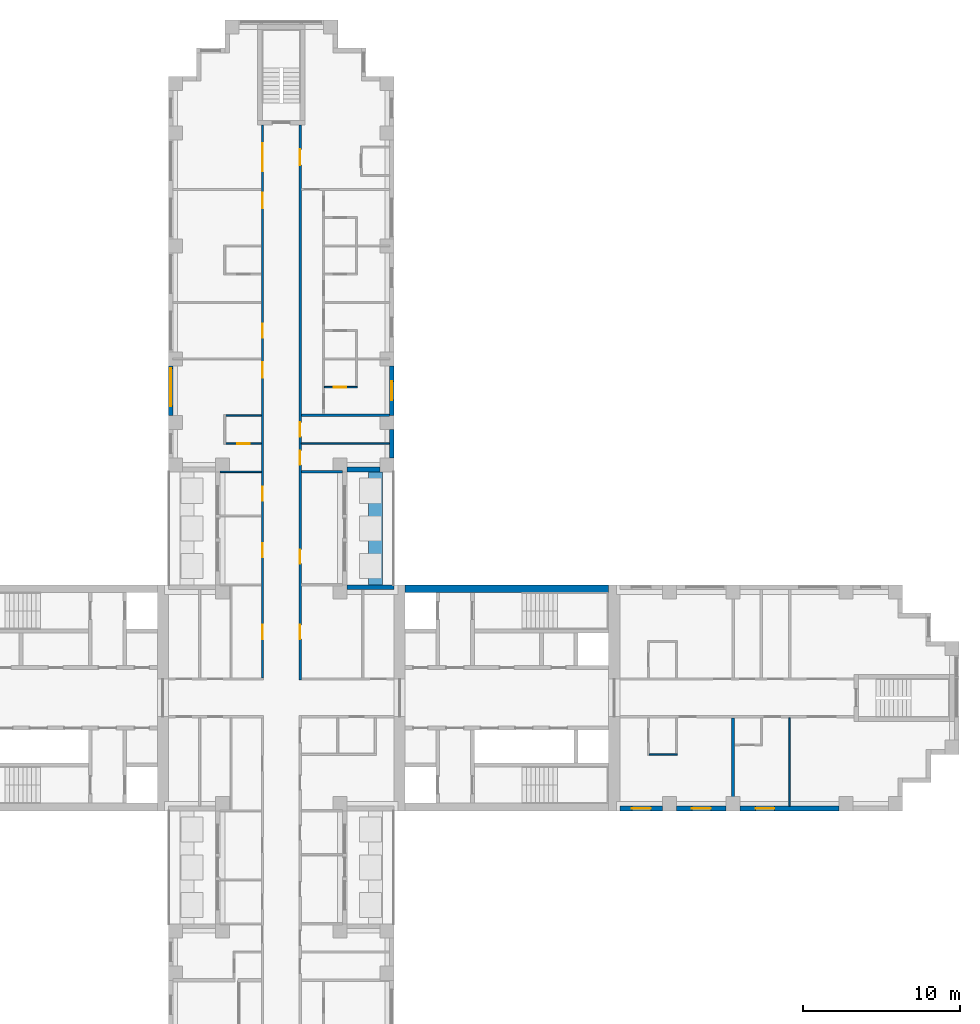
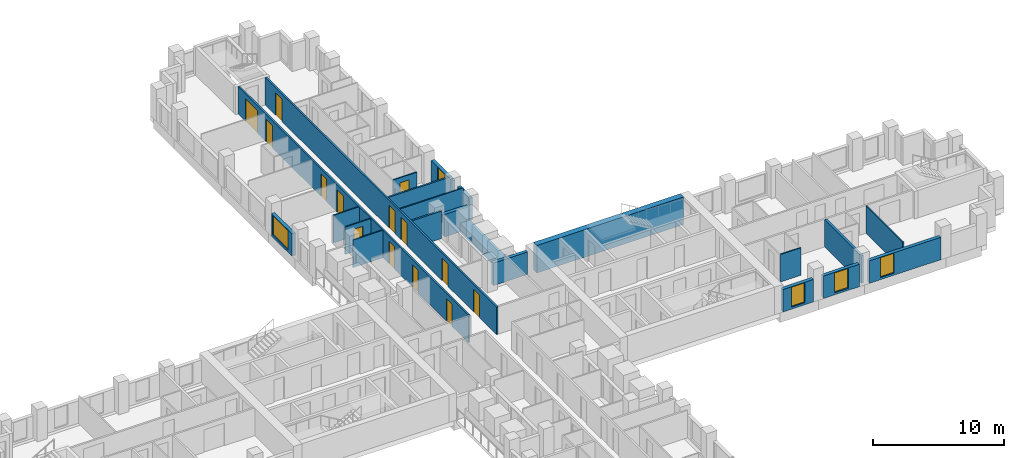
# One storey, part 9 of 15: 22 walls, 14 doors, 5 windows, 19 openings.
"""IFC4 building model written with IfcOpenShell, lengths in metres."""

from ifc_helpers import new_model, si_unit, direction, frame, frame_2d, origin, place, context, subcontext, project, spatial, rectangle, extrude, material, layer, layer_set, type_object, element, fill, save


model = new_model("IFC4")

# Units and contexts
model_context = context("Model", 3, precision=1e-05, world=origin(), true_north=direction((0.0, 1.0)))
body_context = subcontext(model_context, "Body", "Model", "MODEL_VIEW")
ifc_project = project(units=[si_unit("LENGTHUNIT", "METRE"), si_unit("AREAUNIT", "SQUARE_METRE"), si_unit("VOLUMEUNIT", "CUBIC_METRE"), si_unit("PLANEANGLEUNIT", "RADIAN"), si_unit("MASSUNIT", "GRAM", prefix="KILO")], contexts=[model_context])

# Site, building, storey
site_placement = place(None, origin())
site = spatial("IfcSite", under=ifc_project, at=site_placement, CompositionType="ELEMENT")
building_placement = place(site_placement, origin())
building = spatial("IfcBuilding", under=site, at=building_placement, Name="Fustian Cross Tower", CompositionType="ELEMENT")
storey_placement = place(building_placement, frame((0.0, 0.0, 53.699951171875)))
storey = spatial("IfcBuildingStorey", under=building, at=storey_placement, Name="L16", CompositionType="ELEMENT", Elevation=53.699951171875)

# Wall, openings, doors
ifc_material_1 = material(Name="Plasterboard on steel stud", Category="steel")
ifc_layer_1 = layer(ifc_material_1, 0.14990234375)
ifc_layer_set_1 = layer_set([ifc_layer_1], Name="Plasterboard on steel stud")
wall_type_1 = type_object("IfcWallType", Name="COMPARTMENT WALL 150 EI 60", PredefinedType="PARTITIONING", material=ifc_layer_set_1)
wall_1_placement = place(storey_placement, frame((-1.199951171875, 1.27490234375, 0.0), z_axis=(0.0, 0.0, 1.0), x_axis=(0.0, 1.0, 0.0)))
wall_1 = element("IfcWall", 1, at=wall_1_placement, inside=storey, type_object=wall_type_1, Name="Partition 47", PredefinedType="PARTITIONING", context=body_context, shape_type="SweptSolid", body=[
    extrude(rectangle(XDim=35.22509765625, YDim=0.14990234375, at=frame_2d((17.612548828125, 0.0))), origin(), (0.0, 0.0, 1.0), 2.574951171875),
])
opening_1_placement = place(wall_1_placement, frame((2.47509765625, 0.0, 0.0)))
opening_1 = element("IfcOpeningElement", 2, at=opening_1_placement, cuts=wall_1, Name="Opening D09003", PredefinedType="OPENING", context=body_context, shape_type="SweptSolid", body=[
    extrude(rectangle(XDim=0.89990234375, YDim=2.10009765625, at=frame_2d((0.449951171875, 1.050048828125))), frame((0.0, 0.0849609375, 0.0), z_axis=(0.0, -1.0, 0.0), x_axis=(1.0, 0.0, 0.0)), (0.0, 0.0, 1.0), 0.169921875),
])
opening_2_placement = place(wall_1_placement, frame((11.27490234375, 0.0, 0.0)))
opening_2 = element("IfcOpeningElement", 3, at=opening_2_placement, cuts=wall_1, Name="Opening D09022", PredefinedType="OPENING", context=body_context, shape_type="SweptSolid", body=[
    extrude(rectangle(XDim=0.89990234375, YDim=2.10009765625, at=frame_2d((0.449951171875, 1.050048828125))), frame((0.0, 0.0849609375, 0.0), z_axis=(0.0, -1.0, 0.0), x_axis=(1.0, 0.0, 0.0)), (0.0, 0.0, 1.0), 0.169921875),
])
opening_3_placement = place(wall_1_placement, frame((7.675048828125, 0.0, 0.0)))
opening_3 = element("IfcOpeningElement", 4, at=opening_3_placement, cuts=wall_1, Name="Opening D09023", PredefinedType="OPENING", context=body_context, shape_type="SweptSolid", body=[
    extrude(rectangle(XDim=0.89990234375, YDim=2.10009765625, at=frame_2d((0.449951171875, 1.050048828125))), frame((0.0, 0.0849609375, 0.0), z_axis=(0.0, -1.0, 0.0), x_axis=(1.0, 0.0, 0.0)), (0.0, 0.0, 1.0), 0.169921875),
])
opening_4_placement = place(wall_1_placement, frame((19.125, 0.0, 0.0)))
opening_4 = element("IfcOpeningElement", 5, at=opening_4_placement, cuts=wall_1, Name="Opening D09025", PredefinedType="OPENING", context=body_context, shape_type="SweptSolid", body=[
    extrude(rectangle(XDim=1.0, YDim=2.10009765625, at=frame_2d((0.5, 1.050048828125))), frame((0.0, 0.0849609375, 0.0), z_axis=(0.0, -1.0, 0.0), x_axis=(1.0, 0.0, 0.0)), (0.0, 0.0, 1.0), 0.169921875),
])
opening_5_placement = place(wall_1_placement, frame((21.675048828125, 0.0, 0.0)))
opening_5 = element("IfcOpeningElement", 6, at=opening_5_placement, cuts=wall_1, Name="Opening D09026", PredefinedType="OPENING", context=body_context, shape_type="SweptSolid", body=[
    extrude(rectangle(XDim=0.89990234375, YDim=2.10009765625, at=frame_2d((0.449951171875, 1.050048828125))), frame((0.0, 0.0849609375, 0.0), z_axis=(0.0, -1.0, 0.0), x_axis=(1.0, 0.0, 0.0)), (0.0, 0.0, 1.0), 0.169921875),
])
opening_6_placement = place(wall_1_placement, frame((29.925048828125, 0.0, 0.0)))
opening_6 = element("IfcOpeningElement", 7, at=opening_6_placement, cuts=wall_1, Name="Opening D09028", PredefinedType="OPENING", context=body_context, shape_type="SweptSolid", body=[
    extrude(rectangle(XDim=1.0, YDim=2.10009765625, at=frame_2d((0.5, 1.050048828125))), frame((0.0, 0.0849609375, 0.0), z_axis=(0.0, -1.0, 0.0), x_axis=(1.0, 0.0, 0.0)), (0.0, 0.0, 1.0), 0.169921875),
])
opening_7_placement = place(wall_1_placement, frame((32.27490234375, 0.0, 0.0)))
opening_7 = element("IfcOpeningElement", 8, at=opening_7_placement, cuts=wall_1, Name="Opening D09029", PredefinedType="OPENING", context=body_context, shape_type="SweptSolid", body=[
    extrude(rectangle(XDim=1.800048828125, YDim=2.10009765625, at=frame_2d((0.89990234375, 1.050048828125))), frame((0.0, 0.0849609375, 0.0), z_axis=(0.0, -1.0, 0.0), x_axis=(1.0, 0.0, 0.0)), (0.0, 0.0, 1.0), 0.169921875),
])
ifc_material_2 = material(Name="Timber fire door set", Category="wood")
door_type_1 = type_object("IfcDoorType", Name="FIRE DOUBLE DOOR 1800 FD30S", OperationType="DOUBLE_DOOR_DOUBLE_SWING", PredefinedType="DOOR", material=ifc_material_2)
door_1_placement = place(opening_7_placement, frame((1.800048828125, 0.0, 0.0), z_axis=(0.0, 0.0, 1.0), x_axis=(-1.0, 0.0, 0.0)))
door_1 = element("IfcDoor", 9, at=door_1_placement, inside=storey, type_object=door_type_1, Name="Door D09029", OperationType="DOUBLE_DOOR_DOUBLE_SWING", OverallHeight=2.10009765625, OverallWidth=1.800048828125, PredefinedType="DOOR", context=body_context, shape_type="SweptSolid", body=[
    extrude(rectangle(XDim=1.800048828125, YDim=2.10009765625, at=frame_2d((0.89990234375, 1.050048828125))), frame((0.0, 0.02490234375, 0.0), z_axis=(0.0, -1.0, 0.0), x_axis=(1.0, 0.0, 0.0)), (0.0, 0.0, 1.0), 0.050048828125),
])
fill(opening_7, door_1)
ifc_material_3 = material(Name="Timber fire door set", Category="wood")
door_type_2 = type_object("IfcDoorType", Name="FIRE SWING DOOR 1000 FD30S", OperationType="SINGLE_SWING_LEFT", PredefinedType="DOOR", material=ifc_material_3)
door_2_placement = place(opening_4_placement, origin())
door_2 = element("IfcDoor", 10, at=door_2_placement, inside=storey, type_object=door_type_2, Name="Door D09025", OperationType="SINGLE_SWING_RIGHT", OverallHeight=2.10009765625, OverallWidth=1.0, PredefinedType="DOOR", context=body_context, shape_type="SweptSolid", body=[
    extrude(rectangle(XDim=1.0, YDim=2.10009765625, at=frame_2d((0.5, 1.050048828125))), frame((0.0, 0.02490234375, 0.0), z_axis=(0.0, -1.0, 0.0), x_axis=(1.0, 0.0, 0.0)), (0.0, 0.0, 1.0), 0.050048828125),
])
fill(opening_4, door_2)
door_3_placement = place(opening_6_placement, origin())
door_3 = element("IfcDoor", 11, at=door_3_placement, inside=storey, type_object=door_type_2, Name="Door D09028", OperationType="SINGLE_SWING_RIGHT", OverallHeight=2.10009765625, OverallWidth=1.0, PredefinedType="DOOR", context=body_context, shape_type="SweptSolid", body=[
    extrude(rectangle(XDim=1.0, YDim=2.10009765625, at=frame_2d((0.5, 1.050048828125))), frame((0.0, 0.02490234375, 0.0), z_axis=(0.0, -1.0, 0.0), x_axis=(1.0, 0.0, 0.0)), (0.0, 0.0, 1.0), 0.050048828125),
])
fill(opening_6, door_3)
ifc_material_4 = material(Name="Timber fire door set", Category="wood")
door_type_3 = type_object("IfcDoorType", Name="FIRE SWING DOOR 900 FD30S", OperationType="SINGLE_SWING_LEFT", PredefinedType="DOOR", material=ifc_material_4)
door_4_placement = place(opening_1_placement, origin())
door_4 = element("IfcDoor", 12, at=door_4_placement, inside=storey, type_object=door_type_3, Name="Door D09003", OperationType="SINGLE_SWING_LEFT", OverallHeight=2.10009765625, OverallWidth=0.89990234375, PredefinedType="DOOR", context=body_context, shape_type="SweptSolid", body=[
    extrude(rectangle(XDim=0.89990234375, YDim=2.10009765625, at=frame_2d((0.449951171875, 1.050048828125))), frame((0.0, 0.02490234375, 0.0), z_axis=(0.0, -1.0, 0.0), x_axis=(1.0, 0.0, 0.0)), (0.0, 0.0, 1.0), 0.050048828125),
])
fill(opening_1, door_4)
door_5_placement = place(opening_2_placement, origin())
door_5 = element("IfcDoor", 13, at=door_5_placement, inside=storey, type_object=door_type_3, Name="Door D09022", OperationType="SINGLE_SWING_LEFT", OverallHeight=2.10009765625, OverallWidth=0.89990234375, PredefinedType="DOOR", context=body_context, shape_type="SweptSolid", body=[
    extrude(rectangle(XDim=0.89990234375, YDim=2.10009765625, at=frame_2d((0.449951171875, 1.050048828125))), frame((0.0, 0.02490234375, 0.0), z_axis=(0.0, -1.0, 0.0), x_axis=(1.0, 0.0, 0.0)), (0.0, 0.0, 1.0), 0.050048828125),
])
fill(opening_2, door_5)
door_6_placement = place(opening_3_placement, origin())
door_6 = element("IfcDoor", 14, at=door_6_placement, inside=storey, type_object=door_type_3, Name="Door D09023", OperationType="SINGLE_SWING_LEFT", OverallHeight=2.10009765625, OverallWidth=0.89990234375, PredefinedType="DOOR", context=body_context, shape_type="SweptSolid", body=[
    extrude(rectangle(XDim=0.89990234375, YDim=2.10009765625, at=frame_2d((0.449951171875, 1.050048828125))), frame((0.0, 0.02490234375, 0.0), z_axis=(0.0, -1.0, 0.0), x_axis=(1.0, 0.0, 0.0)), (0.0, 0.0, 1.0), 0.050048828125),
])
fill(opening_3, door_6)
door_7_placement = place(opening_5_placement, origin())
door_7 = element("IfcDoor", 15, at=door_7_placement, inside=storey, type_object=door_type_3, Name="Door D09026", OperationType="SINGLE_SWING_LEFT", OverallHeight=2.10009765625, OverallWidth=0.89990234375, PredefinedType="DOOR", context=body_context, shape_type="SweptSolid", body=[
    extrude(rectangle(XDim=0.89990234375, YDim=2.10009765625, at=frame_2d((0.449951171875, 1.050048828125))), frame((0.0, 0.02490234375, 0.0), z_axis=(0.0, -1.0, 0.0), x_axis=(1.0, 0.0, 0.0)), (0.0, 0.0, 1.0), 0.050048828125),
])
fill(opening_5, door_7)

wall_2_placement = place(storey_placement, frame((1.199951171875, 1.125, 0.0), z_axis=(0.0, 0.0, 1.0), x_axis=(0.0, 1.0, 0.0)))
wall_2 = element("IfcWall", 16, at=wall_2_placement, inside=storey, type_object=wall_type_1, Name="Partition 57", PredefinedType="PARTITIONING", context=body_context, shape_type="SweptSolid", body=[
    extrude(rectangle(XDim=35.375, YDim=0.14990234375, at=frame_2d((17.6875, 0.0))), origin(), (0.0, 0.0, 1.0), 2.574951171875),
])
opening_8_placement = place(wall_2_placement, frame((2.625, 0.0, 0.0)))
opening_8 = element("IfcOpeningElement", 17, at=opening_8_placement, cuts=wall_2, Name="Opening D09001", PredefinedType="OPENING", context=body_context, shape_type="SweptSolid", body=[
    extrude(rectangle(XDim=0.89990234375, YDim=2.10009765625, at=frame_2d((0.449951171875, 1.050048828125))), frame((0.0, 0.0849609375, 0.0), z_axis=(0.0, -1.0, 0.0), x_axis=(1.0, 0.0, 0.0)), (0.0, 0.0, 1.0), 0.169921875),
])
opening_9_placement = place(wall_2_placement, frame((7.425048828125, 0.0, 0.0)))
opening_9 = element("IfcOpeningElement", 18, at=opening_9_placement, cuts=wall_2, Name="Opening D09030", PredefinedType="OPENING", context=body_context, shape_type="SweptSolid", body=[
    extrude(rectangle(XDim=0.89990234375, YDim=2.10009765625, at=frame_2d((0.449951171875, 1.050048828125))), frame((0.0, 0.0849609375, 0.0), z_axis=(0.0, -1.0, 0.0), x_axis=(1.0, 0.0, 0.0)), (0.0, 0.0, 1.0), 0.169921875),
])
opening_10_placement = place(wall_2_placement, frame((13.72509765625, 0.0, 0.0)))
opening_10 = element("IfcOpeningElement", 19, at=opening_10_placement, cuts=wall_2, Name="Opening D09031", PredefinedType="OPENING", context=body_context, shape_type="SweptSolid", body=[
    extrude(rectangle(XDim=0.89990234375, YDim=2.10009765625, at=frame_2d((0.449951171875, 1.050048828125))), frame((0.0, 0.0849609375, 0.0), z_axis=(0.0, -1.0, 0.0), x_axis=(1.0, 0.0, 0.0)), (0.0, 0.0, 1.0), 0.169921875),
])
opening_11_placement = place(wall_2_placement, frame((15.52490234375, 0.0, 0.0)))
opening_11 = element("IfcOpeningElement", 20, at=opening_11_placement, cuts=wall_2, Name="Opening D09032", PredefinedType="OPENING", context=body_context, shape_type="SweptSolid", body=[
    extrude(rectangle(XDim=0.89990234375, YDim=2.10009765625, at=frame_2d((0.449951171875, 1.050048828125))), frame((0.0, 0.0849609375, 0.0), z_axis=(0.0, -1.0, 0.0), x_axis=(1.0, 0.0, 0.0)), (0.0, 0.0, 1.0), 0.169921875),
])
opening_12_placement = place(wall_2_placement, frame((32.824951171875, 0.0, 0.0)))
opening_12 = element("IfcOpeningElement", 21, at=opening_12_placement, cuts=wall_2, Name="Opening D09034", PredefinedType="OPENING", context=body_context, shape_type="SweptSolid", body=[
    extrude(rectangle(XDim=1.0, YDim=2.10009765625, at=frame_2d((0.5, 1.050048828125))), frame((0.0, 0.0849609375, 0.0), z_axis=(0.0, -1.0, 0.0), x_axis=(1.0, 0.0, 0.0)), (0.0, 0.0, 1.0), 0.169921875),
])
door_8_placement = place(opening_12_placement, frame((1.0, 0.0, 0.0), z_axis=(0.0, 0.0, 1.0), x_axis=(-1.0, 0.0, 0.0)))
door_8 = element("IfcDoor", 22, at=door_8_placement, inside=storey, type_object=door_type_2, Name="Door D09034", OperationType="SINGLE_SWING_RIGHT", OverallHeight=2.10009765625, OverallWidth=1.0, PredefinedType="DOOR", context=body_context, shape_type="SweptSolid", body=[
    extrude(rectangle(XDim=1.0, YDim=2.10009765625, at=frame_2d((0.5, 1.050048828125))), frame((0.0, 0.02490234375, 0.0), z_axis=(0.0, -1.0, 0.0), x_axis=(1.0, 0.0, 0.0)), (0.0, 0.0, 1.0), 0.050048828125),
])
fill(opening_12, door_8)
door_9_placement = place(opening_8_placement, frame((0.89990234375, 0.0, 0.0), z_axis=(0.0, 0.0, 1.0), x_axis=(-1.0, 0.0, 0.0)))
door_9 = element("IfcDoor", 23, at=door_9_placement, inside=storey, type_object=door_type_3, Name="Door D09001", OperationType="SINGLE_SWING_RIGHT", OverallHeight=2.10009765625, OverallWidth=0.89990234375, PredefinedType="DOOR", context=body_context, shape_type="SweptSolid", body=[
    extrude(rectangle(XDim=0.89990234375, YDim=2.10009765625, at=frame_2d((0.449951171875, 1.050048828125))), frame((0.0, 0.02490234375, 0.0), z_axis=(0.0, -1.0, 0.0), x_axis=(1.0, 0.0, 0.0)), (0.0, 0.0, 1.0), 0.050048828125),
])
fill(opening_8, door_9)
door_10_placement = place(opening_9_placement, frame((0.89990234375, 0.0, 0.0), z_axis=(0.0, 0.0, 1.0), x_axis=(-1.0, 0.0, 0.0)))
door_10 = element("IfcDoor", 24, at=door_10_placement, inside=storey, type_object=door_type_3, Name="Door D09030", OperationType="SINGLE_SWING_RIGHT", OverallHeight=2.10009765625, OverallWidth=0.89990234375, PredefinedType="DOOR", context=body_context, shape_type="SweptSolid", body=[
    extrude(rectangle(XDim=0.89990234375, YDim=2.10009765625, at=frame_2d((0.449951171875, 1.050048828125))), frame((0.0, 0.02490234375, 0.0), z_axis=(0.0, -1.0, 0.0), x_axis=(1.0, 0.0, 0.0)), (0.0, 0.0, 1.0), 0.050048828125),
])
fill(opening_9, door_10)
door_11_placement = place(opening_10_placement, frame((0.89990234375, 0.0, 0.0), z_axis=(0.0, 0.0, 1.0), x_axis=(-1.0, 0.0, 0.0)))
door_11 = element("IfcDoor", 25, at=door_11_placement, inside=storey, type_object=door_type_3, Name="Door D09031", OperationType="SINGLE_SWING_LEFT", OverallHeight=2.10009765625, OverallWidth=0.89990234375, PredefinedType="DOOR", context=body_context, shape_type="SweptSolid", body=[
    extrude(rectangle(XDim=0.89990234375, YDim=2.10009765625, at=frame_2d((0.449951171875, 1.050048828125))), frame((0.0, 0.02490234375, 0.0), z_axis=(0.0, -1.0, 0.0), x_axis=(1.0, 0.0, 0.0)), (0.0, 0.0, 1.0), 0.050048828125),
])
fill(opening_10, door_11)
door_12_placement = place(opening_11_placement, frame((0.89990234375, 0.0, 0.0), z_axis=(0.0, 0.0, 1.0), x_axis=(-1.0, 0.0, 0.0)))
door_12 = element("IfcDoor", 26, at=door_12_placement, inside=storey, type_object=door_type_3, Name="Door D09032", OperationType="SINGLE_SWING_LEFT", OverallHeight=2.10009765625, OverallWidth=0.89990234375, PredefinedType="DOOR", context=body_context, shape_type="SweptSolid", body=[
    extrude(rectangle(XDim=0.89990234375, YDim=2.10009765625, at=frame_2d((0.449951171875, 1.050048828125))), frame((0.0, 0.02490234375, 0.0), z_axis=(0.0, -1.0, 0.0), x_axis=(1.0, 0.0, 0.0)), (0.0, 0.0, 1.0), 0.050048828125),
])
fill(opening_11, door_12)

# Walls
wall_3_placement = place(storey_placement, frame((1.27490234375, 14.39990234375, 0.0), z_axis=(0.0, 0.0, 1.0), x_axis=(1.0, 0.0, 0.0)))
element("IfcWall", 27, at=wall_3_placement, inside=storey, type_object=wall_type_1, Name="Partition 60", PredefinedType="PARTITIONING", context=body_context, shape_type="SweptSolid", body=[
    extrude(rectangle(XDim=2.625, YDim=0.14990234375, at=frame_2d((1.3125, 0.0))), origin(), (0.0, 0.0, 1.0), 2.574951171875),
])
wall_4_placement = place(storey_placement, frame((1.27490234375, 18.0, 0.0), z_axis=(0.0, 0.0, 1.0), x_axis=(1.0, 0.0, 0.0)))
element("IfcWall", 28, at=wall_4_placement, inside=storey, type_object=wall_type_1, Name="Partition 62", PredefinedType="PARTITIONING", context=body_context, shape_type="SweptSolid", body=[
    extrude(rectangle(XDim=5.625, YDim=0.14990234375, at=frame_2d((2.8125, 0.0))), origin(), (0.0, 0.0, 1.0), 2.574951171875),
])
ifc_material_5 = material(Name="Concrete C80/95", Category="concrete")
ifc_layer_2 = layer(ifc_material_5, 0.5)
ifc_layer_set_2 = layer_set([ifc_layer_2], Name="Concrete C80/95")
wall_type_2 = type_object("IfcWallType", Name="CORE FACADE WALL 500 C80/95", PredefinedType="SHEAR", material=ifc_layer_set_2)
wall_5_placement = place(storey_placement, frame((7.89990234375, 6.949951171875, 0.0), z_axis=(0.0, 0.0, 1.0), x_axis=(1.0, 0.0, 0.0)))
element("IfcWall", 29, at=wall_5_placement, inside=storey, type_object=wall_type_2, Name="Core facade wall", PredefinedType="SHEAR", context=body_context, shape_type="SweptSolid", body=[
    extrude(rectangle(XDim=12.9501953125, YDim=0.5, at=frame_2d((6.47509765625, 0.0))), origin(), (0.0, 0.0, 1.0), 2.574951171875),
])
ifc_material_6 = material(Name="Plasterboard on steel stud", Category="steel")
ifc_layer_3 = layer(ifc_material_6, 0.10009765625)
ifc_layer_set_3 = layer_set([ifc_layer_3], Name="Plasterboard on steel stud")
wall_type_3 = type_object("IfcWallType", Name="PARTITION 100 STUD", PredefinedType="PARTITIONING", material=ifc_layer_set_3)
wall_6_placement = place(storey_placement, frame((-3.89990234375, 14.39990234375, 0.0), z_axis=(0.0, 0.0, 1.0), x_axis=(1.0, 0.0, 0.0)))
element("IfcWall", 30, at=wall_6_placement, inside=storey, type_object=wall_type_3, Name="Partition 33", PredefinedType="PARTITIONING", context=body_context, shape_type="SweptSolid", body=[
    extrude(rectangle(XDim=2.625, YDim=0.10009765625, at=frame_2d((1.3125, 0.0))), origin(), (0.0, 0.0, 1.0), 2.574951171875),
])

# Wall, opening, door
wall_7_placement = place(storey_placement, frame((-3.550048828125, 16.199951171875, 0.0), z_axis=(0.0, 0.0, 1.0), x_axis=(1.0, 0.0, 0.0)))
wall_7 = element("IfcWall", 31, at=wall_7_placement, inside=storey, type_object=wall_type_3, Name="Partition 35", PredefinedType="PARTITIONING", context=body_context, shape_type="SweptSolid", body=[
    extrude(rectangle(XDim=2.275146484375, YDim=0.10009765625, at=frame_2d((1.1376953125, 0.0))), origin(), (0.0, 0.0, 1.0), 2.574951171875),
])
opening_13_placement = place(wall_7_placement, frame((0.75, 0.0, 0.0)))
opening_13 = element("IfcOpeningElement", 32, at=opening_13_placement, cuts=wall_7, Name="Opening D09024", PredefinedType="OPENING", context=body_context, shape_type="SweptSolid", body=[
    extrude(rectangle(XDim=0.800048828125, YDim=2.10009765625, at=frame_2d((0.39990234375, 1.050048828125))), frame((0.0, 0.06005859375, 0.0), z_axis=(0.0, -1.0, 0.0), x_axis=(1.0, 0.0, 0.0)), (0.0, 0.0, 1.0), 0.1201171875),
])
ifc_material_7 = material(Name="Painted timber", Category="wood")
door_type_4 = type_object("IfcDoorType", Name="SWING DOOR 800", OperationType="SINGLE_SWING_LEFT", PredefinedType="DOOR", material=ifc_material_7)
door_13_placement = place(opening_13_placement, origin())
door_13 = element("IfcDoor", 33, at=door_13_placement, inside=storey, type_object=door_type_4, Name="Door D09024", OperationType="SINGLE_SWING_LEFT", OverallHeight=2.10009765625, OverallWidth=0.800048828125, PredefinedType="DOOR", context=body_context, shape_type="SweptSolid", body=[
    extrude(rectangle(XDim=0.800048828125, YDim=2.10009765625, at=frame_2d((0.39990234375, 1.050048828125))), frame((0.0, 0.02490234375, 0.0), z_axis=(0.0, -1.0, 0.0), x_axis=(1.0, 0.0, 0.0)), (0.0, 0.0, 1.0), 0.050048828125),
])
fill(opening_13, door_13)

# Walls
wall_8_placement = place(storey_placement, frame((-3.550048828125, 18.0, 0.0), z_axis=(0.0, 0.0, 1.0), x_axis=(1.0, 0.0, 0.0)))
element("IfcWall", 34, at=wall_8_placement, inside=storey, type_object=wall_type_3, Name="Partition 36", PredefinedType="PARTITIONING", context=body_context, shape_type="SweptSolid", body=[
    extrude(rectangle(XDim=2.275146484375, YDim=0.10009765625, at=frame_2d((1.1376953125, 0.0))), origin(), (0.0, 0.0, 1.0), 2.574951171875),
])
wall_9_placement = place(storey_placement, frame((1.27490234375, 16.199951171875, 0.0), z_axis=(0.0, 0.0, 1.0), x_axis=(1.0, 0.0, 0.0)))
element("IfcWall", 35, at=wall_9_placement, inside=storey, type_object=wall_type_3, Name="Partition 61", PredefinedType="PARTITIONING", context=body_context, shape_type="SweptSolid", body=[
    extrude(rectangle(XDim=5.625, YDim=0.10009765625, at=frame_2d((2.8125, 0.0))), origin(), (0.0, 0.0, 1.0), 2.574951171875),
])

# Wall, opening, door
wall_10_placement = place(storey_placement, frame((2.75, 19.800048828125, 0.0), z_axis=(0.0, 0.0, 1.0), x_axis=(1.0, 0.0, 0.0)))
wall_10 = element("IfcWall", 36, at=wall_10_placement, inside=storey, type_object=wall_type_3, Name="Partition 69", PredefinedType="PARTITIONING", context=body_context, shape_type="SweptSolid", body=[
    extrude(rectangle(XDim=2.10009765625, YDim=0.10009765625, at=frame_2d((1.050048828125, 0.0))), origin(), (0.0, 0.0, 1.0), 2.574951171875),
])
opening_14_placement = place(wall_10_placement, frame((0.60009765625, 0.0, 0.0)))
opening_14 = element("IfcOpeningElement", 37, at=opening_14_placement, cuts=wall_10, Name="Opening D09040", PredefinedType="OPENING", context=body_context, shape_type="SweptSolid", body=[
    extrude(rectangle(XDim=0.800048828125, YDim=2.10009765625, at=frame_2d((0.39990234375, 1.050048828125))), frame((0.0, 0.06005859375, 0.0), z_axis=(0.0, -1.0, 0.0), x_axis=(1.0, 0.0, 0.0)), (0.0, 0.0, 1.0), 0.1201171875),
])
door_14_placement = place(opening_14_placement, origin())
door_14 = element("IfcDoor", 38, at=door_14_placement, inside=storey, type_object=door_type_4, Name="Door D09040", OperationType="SINGLE_SWING_LEFT", OverallHeight=2.10009765625, OverallWidth=0.800048828125, PredefinedType="DOOR", context=body_context, shape_type="SweptSolid", body=[
    extrude(rectangle(XDim=0.800048828125, YDim=2.10009765625, at=frame_2d((0.39990234375, 1.050048828125))), frame((0.0, 0.02490234375, 0.0), z_axis=(0.0, -1.0, 0.0), x_axis=(1.0, 0.0, 0.0)), (0.0, 0.0, 1.0), 0.050048828125),
])
fill(opening_14, door_14)

# Walls
wall_11_placement = place(storey_placement, frame((23.449951171875, -3.60009765625, 0.0), z_axis=(0.0, 0.0, 1.0), x_axis=(1.0, 0.0, 0.0)))
element("IfcWall", 39, at=wall_11_placement, inside=storey, type_object=wall_type_3, Name="Partition 91", PredefinedType="PARTITIONING", context=body_context, shape_type="SweptSolid", body=[
    extrude(rectangle(XDim=1.800048828125, YDim=0.10009765625, at=frame_2d((0.89990234375, 0.0))), origin(), (0.0, 0.0, 1.0), 2.574951171875),
])
wall_12_placement = place(storey_placement, frame((32.39990234375, -6.89990234375, 0.0), z_axis=(0.0, 0.0, 1.0), x_axis=(0.0, 1.0, 0.0)))
element("IfcWall", 40, at=wall_12_placement, inside=storey, type_object=wall_type_3, Name="Partition 101", PredefinedType="PARTITIONING", context=body_context, shape_type="SweptSolid", body=[
    extrude(rectangle(XDim=5.625, YDim=0.10009765625, at=frame_2d((2.8125, 0.0))), origin(), (0.0, 0.0, 1.0), 2.574951171875),
])
ifc_material_8 = material(Name="Plasterboard on steel stud", Category="steel")
ifc_layer_4 = layer(ifc_material_8, 0.199951171875)
ifc_layer_set_4 = layer_set([ifc_layer_4], Name="Plasterboard on steel stud")
wall_type_4 = type_object("IfcWallType", Name="PARTY WALL 200 EI 60", PredefinedType="PARTITIONING", material=ifc_layer_set_4)
wall_13_placement = place(storey_placement, frame((28.800048828125, -6.89990234375, 0.0), z_axis=(0.0, 0.0, 1.0), x_axis=(0.0, 1.0, 0.0)))
element("IfcWall", 41, at=wall_13_placement, inside=storey, type_object=wall_type_4, Name="Partition 96", PredefinedType="PARTITIONING", context=body_context, shape_type="SweptSolid", body=[
    extrude(rectangle(XDim=5.625, YDim=0.199951171875, at=frame_2d((2.8125, 0.0))), origin(), (0.0, 0.0, 1.0), 2.574951171875),
])
ifc_material_9 = material(Name="Concrete C40/50", Category="concrete")
ifc_layer_5 = layer(ifc_material_9, 0.89990234375)
ifc_layer_set_5 = layer_set([ifc_layer_5], Name="Concrete C40/50")
wall_type_5 = type_object("IfcWallType", Name="PK1 PLANTER 900", PredefinedType="PARAPET", material=ifc_layer_set_5)
wall_14_placement = place(storey_placement, frame((6.0, 7.199951171875, 0.0), z_axis=(0.0, 0.0, 1.0), x_axis=(0.0, 1.0, 0.0)))
element("IfcWall", 42, at=wall_14_placement, inside=storey, type_object=wall_type_5, Name="PLANTER", PredefinedType="PARAPET", context=body_context, shape_type="SweptSolid", body=[
    extrude(rectangle(XDim=7.199951171875, YDim=0.89990234375, at=frame_2d((3.60009765625, 0.0))), origin(), (0.0, 0.0, 1.0), 0.800048828125),
])

# Wall, opening, window
ifc_material_10 = material(Name="Dark aluminium cladding on insulated backing wall", Category="aluminium")
ifc_layer_6 = layer(ifc_material_10, 0.300048828125)
ifc_layer_set_6 = layer_set([ifc_layer_6], Name="Dark aluminium cladding on insulated backing wall")
wall_type_6 = type_object("IfcWallType", Name="XW1 EXTERNAL WALL 300", PredefinedType="SOLIDWALL", material=ifc_layer_set_6)
wall_15_placement = place(storey_placement, frame((21.60009765625, -7.050048828125, 0.0), z_axis=(0.0, 0.0, 1.0), x_axis=(1.0, 0.0, 0.0)))
wall_15 = element("IfcWall", 43, at=wall_15_placement, inside=storey, type_object=wall_type_6, Name="External wall", PredefinedType="SOLIDWALL", context=body_context, shape_type="SweptSolid", body=[
    extrude(rectangle(XDim=2.699951171875, YDim=0.300048828125, at=frame_2d((1.35009765625, 0.0))), origin(), (0.0, 0.0, 1.0), 2.10009765625),
])
opening_15_placement = place(wall_15_placement, frame((0.75, 0.0, 0.199951171875)))
opening_15 = element("IfcOpeningElement", 44, at=opening_15_placement, cuts=wall_15, Name="Opening WN3", PredefinedType="OPENING", context=body_context, shape_type="SweptSolid", body=[
    extrude(rectangle(XDim=1.199951171875, YDim=1.85009765625, at=frame_2d((0.60009765625, 0.925048828125))), frame((0.0, 0.159912109375, 0.0), z_axis=(0.0, -1.0, 0.0), x_axis=(1.0, 0.0, 0.0)), (0.0, 0.0, 1.0), 0.320068359375),
])
ifc_material_11 = material(Name="Dark anodised aluminium and double glazing", Category="aluminium")
window_type_1 = type_object("IfcWindowType", Name="WN3 WINDOW 1200X1850", PartitioningType="SINGLE_PANEL", PredefinedType="WINDOW", material=ifc_material_11)
window_1_placement = place(opening_15_placement, origin())
window_1 = element("IfcWindow", 45, at=window_1_placement, inside=storey, type_object=window_type_1, Name="Window", OverallHeight=1.85009765625, OverallWidth=1.199951171875, PartitioningType="SINGLE_PANEL", PredefinedType="WINDOW", context=body_context, shape_type="SweptSolid", body=[
    extrude(rectangle(XDim=1.199951171875, YDim=1.85009765625, at=frame_2d((0.60009765625, 0.925048828125))), frame((0.0, 0.030029296875, 0.0), z_axis=(0.0, -1.0, 0.0), x_axis=(1.0, 0.0, 0.0)), (0.0, 0.0, 1.0), 0.06005859375),
])
fill(opening_15, window_1)

wall_16_placement = place(storey_placement, frame((25.199951171875, -7.050048828125, 0.0), z_axis=(0.0, 0.0, 1.0), x_axis=(1.0, 0.0, 0.0)))
wall_16 = element("IfcWall", 46, at=wall_16_placement, inside=storey, type_object=wall_type_6, Name="External wall", PredefinedType="SOLIDWALL", context=body_context, shape_type="SweptSolid", body=[
    extrude(rectangle(XDim=3.150146484375, YDim=0.300048828125, at=frame_2d((1.5751953125, 0.0))), origin(), (0.0, 0.0, 1.0), 2.10009765625),
])
opening_16_placement = place(wall_16_placement, frame((0.97509765625, 0.0, 0.199951171875)))
opening_16 = element("IfcOpeningElement", 47, at=opening_16_placement, cuts=wall_16, Name="Opening WN3", PredefinedType="OPENING", context=body_context, shape_type="SweptSolid", body=[
    extrude(rectangle(XDim=1.199951171875, YDim=1.85009765625, at=frame_2d((0.60009765625, 0.925048828125))), frame((0.0, 0.159912109375, 0.0), z_axis=(0.0, -1.0, 0.0), x_axis=(1.0, 0.0, 0.0)), (0.0, 0.0, 1.0), 0.320068359375),
])
window_2_placement = place(opening_16_placement, origin())
window_2 = element("IfcWindow", 48, at=window_2_placement, inside=storey, type_object=window_type_1, Name="Window", OverallHeight=1.85009765625, OverallWidth=1.199951171875, PartitioningType="SINGLE_PANEL", PredefinedType="WINDOW", context=body_context, shape_type="SweptSolid", body=[
    extrude(rectangle(XDim=1.199951171875, YDim=1.85009765625, at=frame_2d((0.60009765625, 0.925048828125))), frame((0.0, 0.030029296875, 0.0), z_axis=(0.0, -1.0, 0.0), x_axis=(1.0, 0.0, 0.0)), (0.0, 0.0, 1.0), 0.06005859375),
])
fill(opening_16, window_2)

wall_17_placement = place(storey_placement, frame((29.25, -7.050048828125, 0.0), z_axis=(0.0, 0.0, 1.0), x_axis=(1.0, 0.0, 0.0)))
wall_17 = element("IfcWall", 49, at=wall_17_placement, inside=storey, type_object=wall_type_6, Name="External wall", PredefinedType="SOLIDWALL", context=body_context, shape_type="SweptSolid", body=[
    extrude(rectangle(XDim=6.300048828125, YDim=0.300048828125, at=frame_2d((3.14990234375, 0.0))), origin(), (0.0, 0.0, 1.0), 2.10009765625),
])
opening_17_placement = place(wall_17_placement, frame((0.97509765625, 0.0, 0.199951171875)))
opening_17 = element("IfcOpeningElement", 50, at=opening_17_placement, cuts=wall_17, Name="Opening WN3", PredefinedType="OPENING", context=body_context, shape_type="SweptSolid", body=[
    extrude(rectangle(XDim=1.199951171875, YDim=1.85009765625, at=frame_2d((0.60009765625, 0.925048828125))), frame((0.0, 0.159912109375, 0.0), z_axis=(0.0, -1.0, 0.0), x_axis=(1.0, 0.0, 0.0)), (0.0, 0.0, 1.0), 0.320068359375),
])
window_3_placement = place(opening_17_placement, origin())
window_3 = element("IfcWindow", 51, at=window_3_placement, inside=storey, type_object=window_type_1, Name="Window", OverallHeight=1.85009765625, OverallWidth=1.199951171875, PartitioningType="SINGLE_PANEL", PredefinedType="WINDOW", context=body_context, shape_type="SweptSolid", body=[
    extrude(rectangle(XDim=1.199951171875, YDim=1.85009765625, at=frame_2d((0.60009765625, 0.925048828125))), frame((0.0, 0.030029296875, 0.0), z_axis=(0.0, -1.0, 0.0), x_axis=(1.0, 0.0, 0.0)), (0.0, 0.0, 1.0), 0.06005859375),
])
fill(opening_17, window_3)

# Walls
wall_18_placement = place(storey_placement, frame((7.199951171875, 7.050048828125, 0.0), z_axis=(0.0, 0.0, 1.0), x_axis=(-1.0, 0.0, 0.0)))
element("IfcWall", 52, at=wall_18_placement, inside=storey, type_object=wall_type_6, Name="External wall", PredefinedType="SOLIDWALL", context=body_context, shape_type="SweptSolid", body=[
    extrude(rectangle(XDim=3.0, YDim=0.300048828125, at=frame_2d((1.5, 0.0))), origin(), (0.0, 0.0, 1.0), 2.10009765625),
])
wall_19_placement = place(storey_placement, frame((4.199951171875, 14.550048828125, 0.0), z_axis=(0.0, 0.0, 1.0), x_axis=(1.0, 0.0, 0.0)))
element("IfcWall", 53, at=wall_19_placement, inside=storey, type_object=wall_type_6, Name="External wall", PredefinedType="SOLIDWALL", context=body_context, shape_type="SweptSolid", body=[
    extrude(rectangle(XDim=2.10009765625, YDim=0.300048828125, at=frame_2d((1.050048828125, 0.0))), origin(), (0.0, 0.0, 1.0), 2.10009765625),
])
wall_20_placement = place(storey_placement, frame((7.050048828125, 15.300048828125, 0.0), z_axis=(0.0, 0.0, 1.0), x_axis=(0.0, 1.0, 0.0)))
element("IfcWall", 54, at=wall_20_placement, inside=storey, type_object=wall_type_6, Name="External wall", PredefinedType="SOLIDWALL", context=body_context, shape_type="SweptSolid", body=[
    extrude(rectangle(XDim=1.800048828125, YDim=0.300048828125, at=frame_2d((0.89990234375, 0.0))), origin(), (0.0, 0.0, 1.0), 2.10009765625),
])

# Wall, opening, window
wall_21_placement = place(storey_placement, frame((7.050048828125, 18.0, 0.0), z_axis=(0.0, 0.0, 1.0), x_axis=(0.0, 1.0, 0.0)))
wall_21 = element("IfcWall", 55, at=wall_21_placement, inside=storey, type_object=wall_type_6, Name="External wall", PredefinedType="SOLIDWALL", context=body_context, shape_type="SweptSolid", body=[
    extrude(rectangle(XDim=3.14990234375, YDim=0.300048828125, at=frame_2d((1.574951171875, 0.0))), origin(), (0.0, 0.0, 1.0), 2.10009765625),
])
opening_18_placement = place(wall_21_placement, frame((0.97509765625, 0.0, 0.199951171875)))
opening_18 = element("IfcOpeningElement", 56, at=opening_18_placement, cuts=wall_21, Name="Opening WN3", PredefinedType="OPENING", context=body_context, shape_type="SweptSolid", body=[
    extrude(rectangle(XDim=1.199951171875, YDim=1.85009765625, at=frame_2d((0.60009765625, 0.925048828125))), frame((0.0, 0.159912109375, 0.0), z_axis=(0.0, -1.0, 0.0), x_axis=(1.0, 0.0, 0.0)), (0.0, 0.0, 1.0), 0.320068359375),
])
window_4_placement = place(opening_18_placement, origin())
window_4 = element("IfcWindow", 57, at=window_4_placement, inside=storey, type_object=window_type_1, Name="Window", OverallHeight=1.85009765625, OverallWidth=1.199951171875, PartitioningType="SINGLE_PANEL", PredefinedType="WINDOW", context=body_context, shape_type="SweptSolid", body=[
    extrude(rectangle(XDim=1.199951171875, YDim=1.85009765625, at=frame_2d((0.60009765625, 0.925048828125))), frame((0.0, 0.030029296875, 0.0), z_axis=(0.0, -1.0, 0.0), x_axis=(1.0, 0.0, 0.0)), (0.0, 0.0, 1.0), 0.06005859375),
])
fill(opening_18, window_4)

wall_22_placement = place(storey_placement, frame((-7.050048828125, 21.14990234375, 0.0), z_axis=(0.0, 0.0, 1.0), x_axis=(0.0, -1.0, 0.0)))
wall_22 = element("IfcWall", 58, at=wall_22_placement, inside=storey, type_object=wall_type_6, Name="External wall", PredefinedType="SOLIDWALL", context=body_context, shape_type="SweptSolid", body=[
    extrude(rectangle(XDim=3.14990234375, YDim=0.300048828125, at=frame_2d((1.574951171875, 0.0))), origin(), (0.0, 0.0, 1.0), 2.10009765625),
])
opening_19_placement = place(wall_22_placement, frame((0.14990234375, 0.0, 0.199951171875)))
opening_19 = element("IfcOpeningElement", 59, at=opening_19_placement, cuts=wall_22, Name="Opening WN1", PredefinedType="OPENING", context=body_context, shape_type="SweptSolid", body=[
    extrude(rectangle(XDim=2.39990234375, YDim=1.85009765625, at=frame_2d((1.199951171875, 0.925048828125))), frame((0.0, 0.159912109375, 0.0), z_axis=(0.0, -1.0, 0.0), x_axis=(1.0, 0.0, 0.0)), (0.0, 0.0, 1.0), 0.320068359375),
])
ifc_material_12 = material(Name="Dark anodised aluminium and double glazing", Category="aluminium")
window_type_2 = type_object("IfcWindowType", Name="WN1 WINDOW 2400X1850", PartitioningType="SINGLE_PANEL", PredefinedType="WINDOW", material=ifc_material_12)
window_5_placement = place(opening_19_placement, origin())
window_5 = element("IfcWindow", 60, at=window_5_placement, inside=storey, type_object=window_type_2, Name="Window", OverallHeight=1.85009765625, OverallWidth=2.39990234375, PartitioningType="SINGLE_PANEL", PredefinedType="WINDOW", context=body_context, shape_type="SweptSolid", body=[
    extrude(rectangle(XDim=2.39990234375, YDim=1.85009765625, at=frame_2d((1.199951171875, 0.925048828125))), frame((0.0, 0.030029296875, 0.0), z_axis=(0.0, -1.0, 0.0), x_axis=(1.0, 0.0, 0.0)), (0.0, 0.0, 1.0), 0.06005859375),
])
fill(opening_19, window_5)

save(model, "model.ifc")
